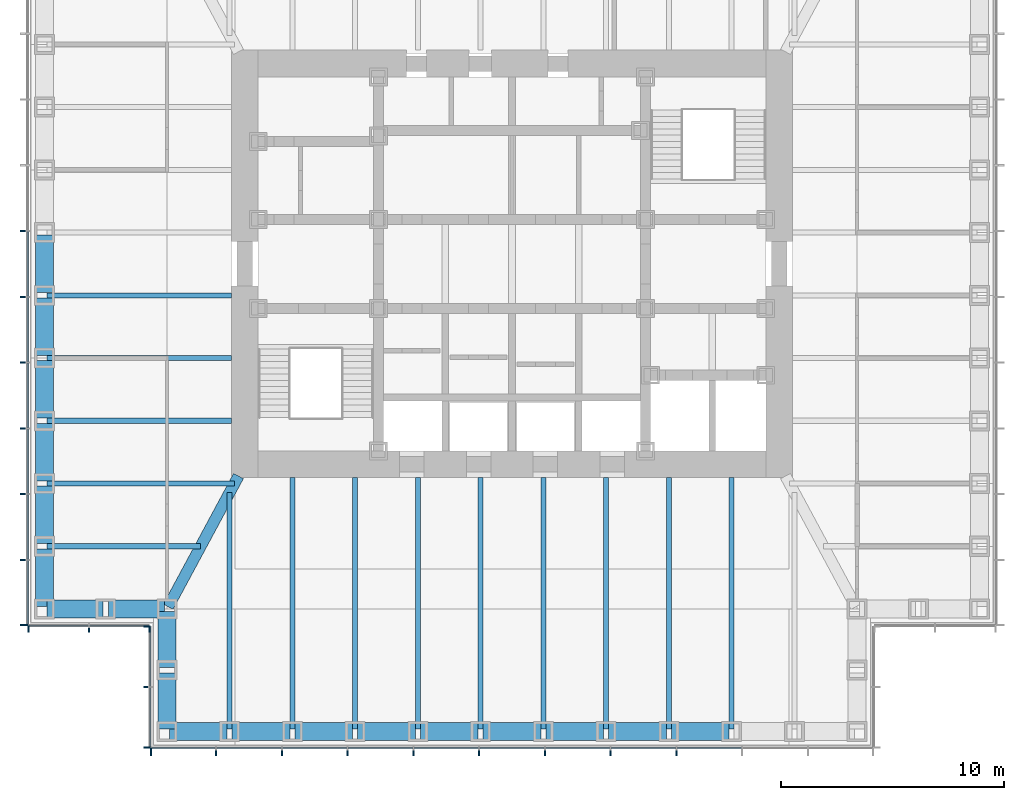
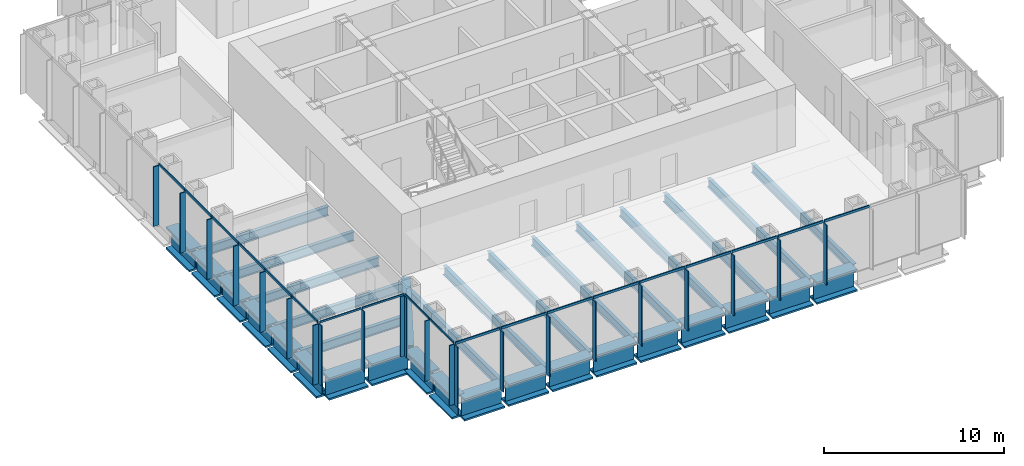
# One storey, part 2 of 16: 41 members, 34 beams, 4 elements without a shape of their own.
"""IFC4 building model written with IfcOpenShell, lengths in metres."""

from ifc_helpers import new_model, si_unit, direction, frame, origin, origin_2d, place, context, subcontext, project, spatial, rectangle, i_section, extrude, material, material_profile, profile_set, type_object, element, aggregate, save


model = new_model("IFC4")

# Units and contexts
model_context = context("Model", 3, precision=1e-05, world=origin(), true_north=direction((0.0, 1.0)))
body_context = subcontext(model_context, "Body", "Model", "MODEL_VIEW")
ifc_project = project(units=[si_unit("LENGTHUNIT", "METRE"), si_unit("AREAUNIT", "SQUARE_METRE"), si_unit("VOLUMEUNIT", "CUBIC_METRE"), si_unit("PLANEANGLEUNIT", "RADIAN"), si_unit("MASSUNIT", "GRAM", prefix="KILO")], contexts=[model_context])

# Site, building, storey
site_placement = place(None, origin())
site = spatial("IfcSite", under=ifc_project, at=site_placement, CompositionType="ELEMENT")
building_placement = place(site_placement, origin())
building = spatial("IfcBuilding", under=site, at=building_placement, Name="Daluyong Arena Tower", CompositionType="ELEMENT")
storey_placement = place(building_placement, frame((0.0, 0.0, 206.5)))
storey = spatial("IfcBuildingStorey", under=building, at=storey_placement, Name="L46", CompositionType="ELEMENT", Elevation=206.5)

# Curtain wall, members
ifc_material_1 = material(Name="Bronze anodised aluminium and glass", Category="aluminium")
curtain_wall_type_1 = type_object("IfcCurtainWallType", Name="Curtain wall CW3", PredefinedType="USERDEFINED", material=ifc_material_1)
curtain_wall_1_placement = place(storey_placement, origin())
curtain_wall_1 = element("IfcCurtainWall", 1, at=curtain_wall_1_placement, inside=storey, type_object=curtain_wall_type_1, Name="curtain wall L46 S", ObjectType="UNITISED CURTAIN WALL", PredefinedType="USERDEFINED")
ifc_material_2 = material(Name="Bronze anodised aluminium fin", Category="aluminium")
ifc_material_profile_1 = material_profile(ifc_material_2, rectangle(XDim=0.35009765625, YDim=0.070068359375, at=origin_2d()))
ifc_profile_set_1 = profile_set([ifc_material_profile_1], Name="Bronze anodised aluminium fin")
member_type_1 = type_object("IfcMemberType", Name="CW3 bronze fin 350x70", PredefinedType="MULLION", material=ifc_profile_set_1)
member_1_placement = place(storey_placement, frame((39.784912109375, 58.074951171875, 0.0), z_axis=(0.0, 0.0, 1.0), x_axis=(0.0, 1.0, 0.0)))
member_1 = element("IfcMember", 2, at=member_1_placement, type_object=member_type_1, Name="curtain wall L46 S fin 1", PredefinedType="MULLION", context=body_context, shape_type="SweptSolid", body=[
    extrude(rectangle(XDim=0.35009765625, YDim=0.070068359375, at=origin_2d()), origin(), (0.0, 0.0, 1.0), 4.0400390625),
])
member_2_placement = place(storey_placement, frame((42.70458984375, 58.074951171875, 0.0), z_axis=(0.0, 0.0, 1.0), x_axis=(0.0, 1.0, 0.0)))
member_2 = element("IfcMember", 3, at=member_2_placement, type_object=member_type_1, Name="curtain wall L46 S fin 2", PredefinedType="MULLION", context=body_context, shape_type="SweptSolid", body=[
    extrude(rectangle(XDim=0.35009765625, YDim=0.070068359375, at=origin_2d()), origin(), (0.0, 0.0, 1.0), 4.0400390625),
])
member_3_placement = place(storey_placement, frame((45.6591796875, 58.074951171875, 0.0), z_axis=(0.0, 0.0, 1.0), x_axis=(0.0, 1.0, 0.0)))
member_3 = element("IfcMember", 4, at=member_3_placement, type_object=member_type_1, Name="curtain wall L46 S fin 3", PredefinedType="MULLION", context=body_context, shape_type="SweptSolid", body=[
    extrude(rectangle(XDim=0.35009765625, YDim=0.070068359375, at=origin_2d()), origin(), (0.0, 0.0, 1.0), 4.0400390625),
])
member_4_placement = place(storey_placement, frame((48.613525390625, 58.074951171875, 0.0), z_axis=(0.0, 0.0, 1.0), x_axis=(0.0, 1.0, 0.0)))
member_4 = element("IfcMember", 5, at=member_4_placement, type_object=member_type_1, Name="curtain wall L46 S fin 4", PredefinedType="MULLION", context=body_context, shape_type="SweptSolid", body=[
    extrude(rectangle(XDim=0.35009765625, YDim=0.070068359375, at=origin_2d()), origin(), (0.0, 0.0, 1.0), 4.0400390625),
])
member_5_placement = place(storey_placement, frame((51.568115234375, 58.074951171875, 0.0), z_axis=(0.0, 0.0, 1.0), x_axis=(0.0, 1.0, 0.0)))
member_5 = element("IfcMember", 6, at=member_5_placement, type_object=member_type_1, Name="curtain wall L46 S fin 5", PredefinedType="MULLION", context=body_context, shape_type="SweptSolid", body=[
    extrude(rectangle(XDim=0.35009765625, YDim=0.070068359375, at=origin_2d()), origin(), (0.0, 0.0, 1.0), 4.0400390625),
])
member_6_placement = place(storey_placement, frame((54.522705078125, 58.074951171875, 0.0), z_axis=(0.0, 0.0, 1.0), x_axis=(0.0, 1.0, 0.0)))
member_6 = element("IfcMember", 7, at=member_6_placement, type_object=member_type_1, Name="curtain wall L46 S fin 6", PredefinedType="MULLION", context=body_context, shape_type="SweptSolid", body=[
    extrude(rectangle(XDim=0.35009765625, YDim=0.070068359375, at=origin_2d()), origin(), (0.0, 0.0, 1.0), 4.0400390625),
])
member_7_placement = place(storey_placement, frame((57.477294921875, 58.074951171875, 0.0), z_axis=(0.0, 0.0, 1.0), x_axis=(0.0, 1.0, 0.0)))
member_7 = element("IfcMember", 8, at=member_7_placement, type_object=member_type_1, Name="curtain wall L46 S fin 7", PredefinedType="MULLION", context=body_context, shape_type="SweptSolid", body=[
    extrude(rectangle(XDim=0.35009765625, YDim=0.070068359375, at=origin_2d()), origin(), (0.0, 0.0, 1.0), 4.0400390625),
])
member_8_placement = place(storey_placement, frame((60.431884765625, 58.074951171875, 0.0), z_axis=(0.0, 0.0, 1.0), x_axis=(0.0, 1.0, 0.0)))
member_8 = element("IfcMember", 9, at=member_8_placement, type_object=member_type_1, Name="curtain wall L46 S fin 8", PredefinedType="MULLION", context=body_context, shape_type="SweptSolid", body=[
    extrude(rectangle(XDim=0.35009765625, YDim=0.070068359375, at=origin_2d()), origin(), (0.0, 0.0, 1.0), 4.0400390625),
])
member_9_placement = place(storey_placement, frame((63.386474609375, 58.074951171875, 0.0), z_axis=(0.0, 0.0, 1.0), x_axis=(0.0, 1.0, 0.0)))
member_9 = element("IfcMember", 10, at=member_9_placement, type_object=member_type_1, Name="curtain wall L46 S fin 9", PredefinedType="MULLION", context=body_context, shape_type="SweptSolid", body=[
    extrude(rectangle(XDim=0.35009765625, YDim=0.070068359375, at=origin_2d()), origin(), (0.0, 0.0, 1.0), 4.0400390625),
])

curtain_wall_2_placement = place(storey_placement, origin())
curtain_wall_2 = element("IfcCurtainWall", 11, at=curtain_wall_2_placement, inside=storey, type_object=curtain_wall_type_1, Name="curtain wall L46 W", ObjectType="UNITISED CURTAIN WALL", PredefinedType="USERDEFINED")
member_10_placement = place(storey_placement, frame((34.074951171875, 81.477294921875, 0.0), z_axis=(0.0, 0.0, 1.0), x_axis=(1.0, 0.0, 0.0)))
member_10 = element("IfcMember", 12, at=member_10_placement, type_object=member_type_1, Name="curtain wall L46 W fin 6", PredefinedType="MULLION", context=body_context, shape_type="SweptSolid", body=[
    extrude(rectangle(XDim=0.35009765625, YDim=0.070068359375, at=origin_2d()), origin(), (0.0, 0.0, 1.0), 4.0400390625),
])
member_11_placement = place(storey_placement, frame((34.074951171875, 78.522705078125, 0.0), z_axis=(0.0, 0.0, 1.0), x_axis=(1.0, 0.0, 0.0)))
member_11 = element("IfcMember", 13, at=member_11_placement, type_object=member_type_1, Name="curtain wall L46 W fin 7", PredefinedType="MULLION", context=body_context, shape_type="SweptSolid", body=[
    extrude(rectangle(XDim=0.35009765625, YDim=0.070068359375, at=origin_2d()), origin(), (0.0, 0.0, 1.0), 4.0400390625),
])
member_12_placement = place(storey_placement, frame((34.074951171875, 75.568115234375, 0.0), z_axis=(0.0, 0.0, 1.0), x_axis=(1.0, 0.0, 0.0)))
member_12 = element("IfcMember", 14, at=member_12_placement, type_object=member_type_1, Name="curtain wall L46 W fin 8", PredefinedType="MULLION", context=body_context, shape_type="SweptSolid", body=[
    extrude(rectangle(XDim=0.35009765625, YDim=0.070068359375, at=origin_2d()), origin(), (0.0, 0.0, 1.0), 4.0400390625),
])
member_13_placement = place(storey_placement, frame((34.074951171875, 72.613525390625, 0.0), z_axis=(0.0, 0.0, 1.0), x_axis=(1.0, 0.0, 0.0)))
member_13 = element("IfcMember", 15, at=member_13_placement, type_object=member_type_1, Name="curtain wall L46 W fin 9", PredefinedType="MULLION", context=body_context, shape_type="SweptSolid", body=[
    extrude(rectangle(XDim=0.35009765625, YDim=0.070068359375, at=origin_2d()), origin(), (0.0, 0.0, 1.0), 4.0400390625),
])
member_14_placement = place(storey_placement, frame((34.074951171875, 69.6591796875, 0.0), z_axis=(0.0, 0.0, 1.0), x_axis=(1.0, 0.0, 0.0)))
member_14 = element("IfcMember", 16, at=member_14_placement, type_object=member_type_1, Name="curtain wall L46 W fin 10", PredefinedType="MULLION", context=body_context, shape_type="SweptSolid", body=[
    extrude(rectangle(XDim=0.35009765625, YDim=0.070068359375, at=origin_2d()), origin(), (0.0, 0.0, 1.0), 4.0400390625),
])
member_15_placement = place(storey_placement, frame((34.074951171875, 66.70458984375, 0.0), z_axis=(0.0, 0.0, 1.0), x_axis=(1.0, 0.0, 0.0)))
member_15 = element("IfcMember", 17, at=member_15_placement, type_object=member_type_1, Name="curtain wall L46 W fin 11", PredefinedType="MULLION", context=body_context, shape_type="SweptSolid", body=[
    extrude(rectangle(XDim=0.35009765625, YDim=0.070068359375, at=origin_2d()), origin(), (0.0, 0.0, 1.0), 4.0400390625),
])
member_16_placement = place(storey_placement, frame((34.074951171875, 63.784912109375, 0.0), z_axis=(0.0, 0.0, 1.0), x_axis=(1.0, 0.0, 0.0)))
member_16 = element("IfcMember", 18, at=member_16_placement, type_object=member_type_1, Name="curtain wall L46 W fin 12", PredefinedType="MULLION", context=body_context, shape_type="SweptSolid", body=[
    extrude(rectangle(XDim=0.35009765625, YDim=0.070068359375, at=origin_2d()), origin(), (0.0, 0.0, 1.0), 4.0400390625),
])

# Member
ifc_material_3 = material(Name="Bronze anodised aluminium", Category="aluminium")
ifc_material_profile_2 = material_profile(ifc_material_3, rectangle(XDim=0.070068359375, YDim=0.159912109375, at=origin_2d()))
ifc_profile_set_2 = profile_set([ifc_material_profile_2], Name="Bronze anodised aluminium")
member_type_2 = type_object("IfcMemberType", Name="CW3 stack transom 160x70", PredefinedType="USERDEFINED", material=ifc_profile_set_2)
member_17_placement = place(storey_placement, frame((39.820068359375, 58.25, 4.1201171875), z_axis=(1.0, 0.0, 0.0), x_axis=(0.0, 1.0, 0.0)))
member_17 = element("IfcMember", 19, at=member_17_placement, type_object=member_type_2, Name="curtain wall L46 S transom 1", ObjectType="TRANSOM", PredefinedType="USERDEFINED", context=body_context, shape_type="SweptSolid", body=[
    extrude(rectangle(XDim=0.070068359375, YDim=0.159912109375, at=origin_2d()), origin(), (0.0, 0.0, 1.0), 2.849365234375),
])

member_18_placement = place(storey_placement, frame((42.739501953125, 58.25, 4.1201171875), z_axis=(1.0, 0.0, 0.0), x_axis=(0.0, 1.0, 0.0)))
member_18 = element("IfcMember", 20, at=member_18_placement, type_object=member_type_2, Name="curtain wall L46 S transom 2", ObjectType="TRANSOM", PredefinedType="USERDEFINED", context=body_context, shape_type="SweptSolid", body=[
    extrude(rectangle(XDim=0.070068359375, YDim=0.159912109375, at=origin_2d()), origin(), (0.0, 0.0, 1.0), 2.884521484375),
])

member_19_placement = place(storey_placement, frame((45.694091796875, 58.25, 4.1201171875), z_axis=(1.0, 0.0, 0.0), x_axis=(0.0, 1.0, 0.0)))
member_19 = element("IfcMember", 21, at=member_19_placement, type_object=member_type_2, Name="curtain wall L46 S transom 3", ObjectType="TRANSOM", PredefinedType="USERDEFINED", context=body_context, shape_type="SweptSolid", body=[
    extrude(rectangle(XDim=0.070068359375, YDim=0.159912109375, at=origin_2d()), origin(), (0.0, 0.0, 1.0), 2.884521484375),
])

member_20_placement = place(storey_placement, frame((48.648681640625, 58.25, 4.1201171875), z_axis=(1.0, 0.0, 0.0), x_axis=(0.0, 1.0, 0.0)))
member_20 = element("IfcMember", 22, at=member_20_placement, type_object=member_type_2, Name="curtain wall L46 S transom 4", ObjectType="TRANSOM", PredefinedType="USERDEFINED", context=body_context, shape_type="SweptSolid", body=[
    extrude(rectangle(XDim=0.070068359375, YDim=0.159912109375, at=origin_2d()), origin(), (0.0, 0.0, 1.0), 2.884521484375),
])

member_21_placement = place(storey_placement, frame((51.603271484375, 58.25, 4.1201171875), z_axis=(1.0, 0.0, 0.0), x_axis=(0.0, 1.0, 0.0)))
member_21 = element("IfcMember", 23, at=member_21_placement, type_object=member_type_2, Name="curtain wall L46 S transom 5", ObjectType="TRANSOM", PredefinedType="USERDEFINED", context=body_context, shape_type="SweptSolid", body=[
    extrude(rectangle(XDim=0.070068359375, YDim=0.159912109375, at=origin_2d()), origin(), (0.0, 0.0, 1.0), 2.884521484375),
])

member_22_placement = place(storey_placement, frame((54.5576171875, 58.25, 4.1201171875), z_axis=(1.0, 0.0, 0.0), x_axis=(0.0, 1.0, 0.0)))
member_22 = element("IfcMember", 24, at=member_22_placement, type_object=member_type_2, Name="curtain wall L46 S transom 6", ObjectType="TRANSOM", PredefinedType="USERDEFINED", context=body_context, shape_type="SweptSolid", body=[
    extrude(rectangle(XDim=0.070068359375, YDim=0.159912109375, at=origin_2d()), origin(), (0.0, 0.0, 1.0), 2.884765625),
])

member_23_placement = place(storey_placement, frame((57.51220703125, 58.25, 4.1201171875), z_axis=(1.0, 0.0, 0.0), x_axis=(0.0, 1.0, 0.0)))
member_23 = element("IfcMember", 25, at=member_23_placement, type_object=member_type_2, Name="curtain wall L46 S transom 7", ObjectType="TRANSOM", PredefinedType="USERDEFINED", context=body_context, shape_type="SweptSolid", body=[
    extrude(rectangle(XDim=0.070068359375, YDim=0.159912109375, at=origin_2d()), origin(), (0.0, 0.0, 1.0), 2.884521484375),
])

member_24_placement = place(storey_placement, frame((60.466796875, 58.25, 4.1201171875), z_axis=(1.0, 0.0, 0.0), x_axis=(0.0, 1.0, 0.0)))
member_24 = element("IfcMember", 26, at=member_24_placement, type_object=member_type_2, Name="curtain wall L46 S transom 8", ObjectType="TRANSOM", PredefinedType="USERDEFINED", context=body_context, shape_type="SweptSolid", body=[
    extrude(rectangle(XDim=0.070068359375, YDim=0.159912109375, at=origin_2d()), origin(), (0.0, 0.0, 1.0), 2.884521484375),
])

member_25_placement = place(storey_placement, frame((63.42138671875, 58.25, 4.1201171875), z_axis=(1.0, 0.0, 0.0), x_axis=(0.0, 1.0, 0.0)))
member_25 = element("IfcMember", 27, at=member_25_placement, type_object=member_type_2, Name="curtain wall L46 S transom 9", ObjectType="TRANSOM", PredefinedType="USERDEFINED", context=body_context, shape_type="SweptSolid", body=[
    extrude(rectangle(XDim=0.070068359375, YDim=0.159912109375, at=origin_2d()), origin(), (0.0, 0.0, 1.0), 2.884521484375),
])

aggregate(curtain_wall_1, [member_1, member_2, member_3, member_4, member_5, member_6, member_7, member_8, member_9, member_17, member_18, member_19, member_20, member_21, member_22, member_23, member_24, member_25])

member_26_placement = place(storey_placement, frame((34.25, 81.4423828125, 4.1201171875), z_axis=(0.0, -1.0, 0.0), x_axis=(1.0, 0.0, 0.0)))
member_26 = element("IfcMember", 28, at=member_26_placement, type_object=member_type_2, Name="curtain wall L46 W transom 6", ObjectType="TRANSOM", PredefinedType="USERDEFINED", context=body_context, shape_type="SweptSolid", body=[
    extrude(rectangle(XDim=0.070068359375, YDim=0.159912109375, at=origin_2d()), origin(), (0.0, 0.0, 1.0), 2.884765625),
])

member_27_placement = place(storey_placement, frame((34.25, 78.48779296875, 4.1201171875), z_axis=(0.0, -1.0, 0.0), x_axis=(1.0, 0.0, 0.0)))
member_27 = element("IfcMember", 29, at=member_27_placement, type_object=member_type_2, Name="curtain wall L46 W transom 7", ObjectType="TRANSOM", PredefinedType="USERDEFINED", context=body_context, shape_type="SweptSolid", body=[
    extrude(rectangle(XDim=0.070068359375, YDim=0.159912109375, at=origin_2d()), origin(), (0.0, 0.0, 1.0), 2.884521484375),
])

member_28_placement = place(storey_placement, frame((34.25, 75.533203125, 4.1201171875), z_axis=(0.0, -1.0, 0.0), x_axis=(1.0, 0.0, 0.0)))
member_28 = element("IfcMember", 30, at=member_28_placement, type_object=member_type_2, Name="curtain wall L46 W transom 8", ObjectType="TRANSOM", PredefinedType="USERDEFINED", context=body_context, shape_type="SweptSolid", body=[
    extrude(rectangle(XDim=0.070068359375, YDim=0.159912109375, at=origin_2d()), origin(), (0.0, 0.0, 1.0), 2.884521484375),
])

member_29_placement = place(storey_placement, frame((34.25, 72.57861328125, 4.1201171875), z_axis=(0.0, -1.0, 0.0), x_axis=(1.0, 0.0, 0.0)))
member_29 = element("IfcMember", 31, at=member_29_placement, type_object=member_type_2, Name="curtain wall L46 W transom 9", ObjectType="TRANSOM", PredefinedType="USERDEFINED", context=body_context, shape_type="SweptSolid", body=[
    extrude(rectangle(XDim=0.070068359375, YDim=0.159912109375, at=origin_2d()), origin(), (0.0, 0.0, 1.0), 2.884521484375),
])

member_30_placement = place(storey_placement, frame((34.25, 69.6240234375, 4.1201171875), z_axis=(0.0, -1.0, 0.0), x_axis=(1.0, 0.0, 0.0)))
member_30 = element("IfcMember", 32, at=member_30_placement, type_object=member_type_2, Name="curtain wall L46 W transom 10", ObjectType="TRANSOM", PredefinedType="USERDEFINED", context=body_context, shape_type="SweptSolid", body=[
    extrude(rectangle(XDim=0.070068359375, YDim=0.159912109375, at=origin_2d()), origin(), (0.0, 0.0, 1.0), 2.884521484375),
])

member_31_placement = place(storey_placement, frame((34.25, 66.66943359375, 4.1201171875), z_axis=(0.0, -1.0, 0.0), x_axis=(1.0, 0.0, 0.0)))
member_31 = element("IfcMember", 33, at=member_31_placement, type_object=member_type_2, Name="curtain wall L46 W transom 11", ObjectType="TRANSOM", PredefinedType="USERDEFINED", context=body_context, shape_type="SweptSolid", body=[
    extrude(rectangle(XDim=0.070068359375, YDim=0.159912109375, at=origin_2d()), origin(), (0.0, 0.0, 1.0), 2.849365234375),
])

aggregate(curtain_wall_2, [member_10, member_11, member_12, member_13, member_14, member_15, member_16, member_26, member_27, member_28, member_29, member_30, member_31])

# Curtain wall, members
ifc_material_4 = material(Name="Bronze anodised aluminium and glass", Category="aluminium")
curtain_wall_type_2 = type_object("IfcCurtainWallType", Name="Curtain wall CW7", PredefinedType="USERDEFINED", material=ifc_material_4)
curtain_wall_3_placement = place(storey_placement, origin())
curtain_wall_3 = element("IfcCurtainWall", 34, at=curtain_wall_3_placement, inside=storey, type_object=curtain_wall_type_2, Name="curtain wall L46 SW-S", ObjectType="UNITISED CURTAIN WALL", PredefinedType="USERDEFINED")
ifc_material_5 = material(Name="Bronze anodised aluminium fin", Category="aluminium")
ifc_material_profile_3 = material_profile(ifc_material_5, rectangle(XDim=0.300048828125, YDim=0.06005859375, at=origin_2d()))
ifc_profile_set_3 = profile_set([ifc_material_profile_3], Name="Bronze anodised aluminium fin")
member_type_3 = type_object("IfcMemberType", Name="CW7 bronze fin 300x60", PredefinedType="MULLION", material=ifc_profile_set_3)
member_32_placement = place(storey_placement, frame((34.280029296875, 63.60009765625, 0.0), z_axis=(0.0, 0.0, 1.0), x_axis=(0.0, 1.0, 0.0)))
member_32 = element("IfcMember", 35, at=member_32_placement, type_object=member_type_3, Name="curtain wall L46 SW-S fin 1", PredefinedType="MULLION", context=body_context, shape_type="SweptSolid", body=[
    extrude(rectangle(XDim=0.300048828125, YDim=0.06005859375, at=origin_2d()), origin(), (0.0, 0.0, 1.0), 4.080078125),
])
member_33_placement = place(storey_placement, frame((37.0, 63.60009765625, 0.0), z_axis=(0.0, 0.0, 1.0), x_axis=(0.0, 1.0, 0.0)))
member_33 = element("IfcMember", 36, at=member_33_placement, type_object=member_type_3, Name="curtain wall L46 SW-S fin 2", PredefinedType="MULLION", context=body_context, shape_type="SweptSolid", body=[
    extrude(rectangle(XDim=0.300048828125, YDim=0.06005859375, at=origin_2d()), origin(), (0.0, 0.0, 1.0), 4.080078125),
])
member_34_placement = place(storey_placement, frame((39.719970703125, 63.60009765625, 0.0), z_axis=(0.0, 0.0, 1.0), x_axis=(0.0, 1.0, 0.0)))
member_34 = element("IfcMember", 37, at=member_34_placement, type_object=member_type_3, Name="curtain wall L46 SW-S fin 3", PredefinedType="MULLION", context=body_context, shape_type="SweptSolid", body=[
    extrude(rectangle(XDim=0.300048828125, YDim=0.06005859375, at=origin_2d()), origin(), (0.0, 0.0, 1.0), 4.080078125),
])

curtain_wall_4_placement = place(storey_placement, origin())
curtain_wall_4 = element("IfcCurtainWall", 38, at=curtain_wall_4_placement, inside=storey, type_object=curtain_wall_type_2, Name="curtain wall L46 SW-W", ObjectType="UNITISED CURTAIN WALL", PredefinedType="USERDEFINED")
member_35_placement = place(storey_placement, frame((39.60009765625, 63.719970703125, 0.0), z_axis=(0.0, 0.0, 1.0), x_axis=(1.0, 0.0, 0.0)))
member_35 = element("IfcMember", 39, at=member_35_placement, type_object=member_type_3, Name="curtain wall L46 SW-W fin 1", PredefinedType="MULLION", context=body_context, shape_type="SweptSolid", body=[
    extrude(rectangle(XDim=0.300048828125, YDim=0.06005859375, at=origin_2d()), origin(), (0.0, 0.0, 1.0), 4.080078125),
])
member_36_placement = place(storey_placement, frame((39.60009765625, 61.0, 0.0), z_axis=(0.0, 0.0, 1.0), x_axis=(1.0, 0.0, 0.0)))
member_36 = element("IfcMember", 40, at=member_36_placement, type_object=member_type_3, Name="curtain wall L46 SW-W fin 2", PredefinedType="MULLION", context=body_context, shape_type="SweptSolid", body=[
    extrude(rectangle(XDim=0.300048828125, YDim=0.06005859375, at=origin_2d()), origin(), (0.0, 0.0, 1.0), 4.080078125),
])
member_37_placement = place(storey_placement, frame((39.60009765625, 58.280029296875, 0.0), z_axis=(0.0, 0.0, 1.0), x_axis=(1.0, 0.0, 0.0)))
member_37 = element("IfcMember", 41, at=member_37_placement, type_object=member_type_3, Name="curtain wall L46 SW-W fin 3", PredefinedType="MULLION", context=body_context, shape_type="SweptSolid", body=[
    extrude(rectangle(XDim=0.300048828125, YDim=0.06005859375, at=origin_2d()), origin(), (0.0, 0.0, 1.0), 4.080078125),
])

# Member
ifc_material_6 = material(Name="Bronze anodised aluminium", Category="aluminium")
ifc_material_profile_4 = material_profile(ifc_material_6, rectangle(XDim=0.06005859375, YDim=0.1201171875, at=origin_2d()))
ifc_profile_set_4 = profile_set([ifc_material_profile_4], Name="Bronze anodised aluminium")
member_type_4 = type_object("IfcMemberType", Name="CW7 stack transom 120x60", PredefinedType="USERDEFINED", material=ifc_profile_set_4)
member_38_placement = place(storey_placement, frame((34.31005859375, 63.75, 4.139892578125), z_axis=(1.0, 0.0, 0.0), x_axis=(0.0, 1.0, 0.0)))
member_38 = element("IfcMember", 42, at=member_38_placement, type_object=member_type_4, Name="curtain wall L46 SW-S transom 1", ObjectType="TRANSOM", PredefinedType="USERDEFINED", context=body_context, shape_type="SweptSolid", body=[
    extrude(rectangle(XDim=0.06005859375, YDim=0.1201171875, at=origin_2d()), origin(), (0.0, 0.0, 1.0), 2.659912109375),
])

member_39_placement = place(storey_placement, frame((37.030029296875, 63.75, 4.139892578125), z_axis=(1.0, 0.0, 0.0), x_axis=(0.0, 1.0, 0.0)))
member_39 = element("IfcMember", 43, at=member_39_placement, type_object=member_type_4, Name="curtain wall L46 SW-S transom 2", ObjectType="TRANSOM", PredefinedType="USERDEFINED", context=body_context, shape_type="SweptSolid", body=[
    extrude(rectangle(XDim=0.06005859375, YDim=0.1201171875, at=origin_2d()), origin(), (0.0, 0.0, 1.0), 2.659912109375),
])

aggregate(curtain_wall_3, [member_32, member_33, member_34, member_38, member_39])

member_40_placement = place(storey_placement, frame((39.75, 63.68994140625, 4.139892578125), z_axis=(0.0, -1.0, 0.0), x_axis=(1.0, 0.0, 0.0)))
member_40 = element("IfcMember", 44, at=member_40_placement, type_object=member_type_4, Name="curtain wall L46 SW-W transom 1", ObjectType="TRANSOM", PredefinedType="USERDEFINED", context=body_context, shape_type="SweptSolid", body=[
    extrude(rectangle(XDim=0.06005859375, YDim=0.1201171875, at=origin_2d()), origin(), (0.0, 0.0, 1.0), 2.659912109375),
])

member_41_placement = place(storey_placement, frame((39.75, 60.969970703125, 4.139892578125), z_axis=(0.0, -1.0, 0.0), x_axis=(1.0, 0.0, 0.0)))
member_41 = element("IfcMember", 45, at=member_41_placement, type_object=member_type_4, Name="curtain wall L46 SW-W transom 2", ObjectType="TRANSOM", PredefinedType="USERDEFINED", context=body_context, shape_type="SweptSolid", body=[
    extrude(rectangle(XDim=0.06005859375, YDim=0.1201171875, at=origin_2d()), origin(), (0.0, 0.0, 1.0), 2.659912109375),
])

aggregate(curtain_wall_4, [member_35, member_36, member_37, member_40, member_41])

# Beams
ifc_material_7 = material(Name="Steel ASTM A572 Grade 50", Category="steel")
ifc_material_profile_5 = material_profile(ifc_material_7, i_section(OverallWidth=0.5, OverallDepth=1.0, WebThickness=0.03, FlangeThickness=0.06, at=origin_2d()))
ifc_profile_set_5 = profile_set([ifc_material_profile_5], Name="Steel ASTM A572 Grade 50")
beam_type_1 = type_object("IfcBeamType", Name="Corner girder TB1000X500", PredefinedType="BEAM", material=ifc_profile_set_5)
beam_1_placement = place(storey_placement, frame((40.554443359375, 64.601318359375, -0.659912109375), z_axis=(0.474119475266, 0.880460517669, 0.0), x_axis=(-0.880460517669, 0.474119475266, 0.0)))
element("IfcBeam", 46, at=beam_1_placement, inside=storey, type_object=beam_type_1, Name="corner girder DG2", PredefinedType="BEAM", context=body_context, shape_type="SweptSolid", body=[
    extrude(i_section(OverallWidth=0.5, OverallDepth=1.0, WebThickness=0.03, FlangeThickness=0.06, at=origin_2d()), origin(), (0.0, 0.0, 1.0), 6.66748046875),
])
ifc_material_8 = material(Name="Steel ASTM A992 Grade 50", Category="steel")
ifc_material_profile_6 = material_profile(ifc_material_8, i_section(OverallWidth=0.22900390625, OverallDepth=0.612060546875, WebThickness=0.011962890625, FlangeThickness=0.01953125, at=origin_2d()))
ifc_profile_set_6 = profile_set([ifc_material_profile_6], Name="Steel ASTM A992 Grade 50")
beam_type_2 = type_object("IfcBeamType", Name="Floor beam W24X84", PredefinedType="BEAM", material=ifc_profile_set_6)
beam_2_placement = place(storey_placement, frame((43.318115234375, 59.114990234375, -0.466064453125), z_axis=(0.0, 1.0, 0.0), x_axis=(-1.0, 0.0, 0.0)))
element("IfcBeam", 47, at=beam_2_placement, inside=storey, type_object=beam_type_2, Name="floor beam FB3", PredefinedType="BEAM", context=body_context, shape_type="SweptSolid", body=[
    extrude(i_section(OverallWidth=0.22900390625, OverallDepth=0.612060546875, WebThickness=0.011962890625, FlangeThickness=0.01953125, at=origin_2d()), origin(), (0.0, 0.0, 1.0), 10.618896484375),
])
for number, where, z_axis, x_axis, name in (
    (48, (46.136474609375, 59.114990234375, -0.466064453125), (0.0, 1.0, 0.0), (-1.0, 0.0, 0.0), "floor beam FB3"),
    (49, (48.95458984375, 59.114990234375, -0.466064453125), (0.0, 1.0, 0.0), (-1.0, 0.0, 0.0), "floor beam FB3"),
    (50, (51.772705078125, 59.114990234375, -0.466064453125), (0.0, 1.0, 0.0), (-1.0, 0.0, 0.0), "floor beam FB3"),
    (51, (54.5908203125, 59.114990234375, -0.466064453125), (0.0, 1.0, 0.0), (-1.0, 0.0, 0.0), "floor beam FB3"),
    (52, (57.4091796875, 59.114990234375, -0.466064453125), (0.0, 1.0, 0.0), (-1.0, 0.0, 0.0), "floor beam FB3"),
    (53, (60.227294921875, 59.114990234375, -0.466064453125), (0.0, 1.0, 0.0), (-1.0, 0.0, 0.0), "floor beam FB3"),
    (54, (63.04541015625, 59.114990234375, -0.466064453125), (0.0, 1.0, 0.0), (-1.0, 0.0, 0.0), "floor beam FB3"),
    (55, (65.863525390625, 59.114990234375, -0.466064453125), (0.0, 1.0, 0.0), (-1.0, 0.0, 0.0), "floor beam FB3"),
):
    element("IfcBeam", number, at=place(storey_placement, frame(where, z_axis=z_axis, x_axis=x_axis)), inside=storey, type_object=beam_type_2, Name=name, PredefinedType="BEAM", context=body_context, shape_type="SweptSolid", body=[
        extrude(i_section(OverallWidth=0.22900390625, OverallDepth=0.612060546875, WebThickness=0.011962890625, FlangeThickness=0.01953125, at=origin_2d()), origin(), (0.0, 0.0, 1.0), 11.284912109375),
    ])
for number, where, z_axis, x_axis, name in (
    (56, (35.114990234375, 78.5908203125, -0.466064453125), (1.0, 0.0, 0.0), (0.0, 1.0, 0.0), "floor beam FB3"),
    (57, (35.114990234375, 75.772705078125, -0.466064453125), (1.0, 0.0, 0.0), (0.0, 1.0, 0.0), "floor beam FB3"),
    (58, (35.114990234375, 72.95458984375, -0.466064453125), (1.0, 0.0, 0.0), (0.0, 1.0, 0.0), "floor beam FB3"),
):
    element("IfcBeam", number, at=place(storey_placement, frame(where, z_axis=z_axis, x_axis=x_axis)), inside=storey, type_object=beam_type_2, Name=name, PredefinedType="BEAM", context=body_context, shape_type="SweptSolid", body=[
        extrude(i_section(OverallWidth=0.22900390625, OverallDepth=0.612060546875, WebThickness=0.011962890625, FlangeThickness=0.01953125, at=origin_2d()), origin(), (0.0, 0.0, 1.0), 8.284912109375),
    ])
beam_3_placement = place(storey_placement, frame((35.114990234375, 70.136474609375, -0.466064453125), z_axis=(1.0, 0.0, 0.0), x_axis=(0.0, 1.0, 0.0)))
element("IfcBeam", 59, at=beam_3_placement, inside=storey, type_object=beam_type_2, Name="floor beam FB3", PredefinedType="BEAM", context=body_context, shape_type="SweptSolid", body=[
    extrude(i_section(OverallWidth=0.22900390625, OverallDepth=0.612060546875, WebThickness=0.011962890625, FlangeThickness=0.01953125, at=origin_2d()), origin(), (0.0, 0.0, 1.0), 8.419921875),
])
beam_4_placement = place(storey_placement, frame((35.114990234375, 67.318115234375, -0.466064453125), z_axis=(1.0, 0.0, 0.0), x_axis=(0.0, 1.0, 0.0)))
element("IfcBeam", 60, at=beam_4_placement, inside=storey, type_object=beam_type_2, Name="floor beam FB3", PredefinedType="BEAM", context=body_context, shape_type="SweptSolid", body=[
    extrude(i_section(OverallWidth=0.22900390625, OverallDepth=0.612060546875, WebThickness=0.011962890625, FlangeThickness=0.01953125, at=origin_2d()), origin(), (0.0, 0.0, 1.0), 6.902587890625),
])
ifc_material_9 = material(Name="Steel ASTM A588 Grade 50", Category="steel")
ifc_material_profile_7 = material_profile(ifc_material_9, i_section(OverallWidth=0.800048828125, OverallDepth=1.5, WebThickness=0.05, FlangeThickness=0.12, at=origin_2d()))
ifc_profile_set_7 = profile_set([ifc_material_profile_7], Name="Steel ASTM A588 Grade 50")
beam_type_3 = type_object("IfcBeamType", Name="Spandrel Z3 PG1500X800", PredefinedType="SPANDREL", material=ifc_profile_set_7)
beam_5_placement = place(storey_placement, frame((40.614990234375, 59.0, -0.909912109375), z_axis=(1.0, 0.0, 0.0), x_axis=(0.0, 1.0, 0.0)))
element("IfcBeam", 61, at=beam_5_placement, inside=storey, type_object=beam_type_3, Name="spandrel z3 SB7", PredefinedType="SPANDREL", context=body_context, shape_type="SweptSolid", body=[
    extrude(i_section(OverallWidth=0.800048828125, OverallDepth=1.5, WebThickness=0.05, FlangeThickness=0.12, at=origin_2d()), origin(), (0.0, 0.0, 1.0), 2.588134765625),
])
beam_6_placement = place(storey_placement, frame((43.43310546875, 59.0, -0.909912109375), z_axis=(1.0, 0.0, 0.0), x_axis=(0.0, 1.0, 0.0)))
element("IfcBeam", 62, at=beam_6_placement, inside=storey, type_object=beam_type_3, Name="spandrel z3 SB7", PredefinedType="SPANDREL", context=body_context, shape_type="SweptSolid", body=[
    extrude(i_section(OverallWidth=0.800048828125, OverallDepth=1.5, WebThickness=0.05, FlangeThickness=0.12, at=origin_2d()), origin(), (0.0, 0.0, 1.0), 2.58837890625),
])
for number, where, z_axis, x_axis, name in (
    (63, (46.25146484375, 59.0, -0.909912109375), (1.0, 0.0, 0.0), (0.0, 1.0, 0.0), "spandrel z3 SB7"),
    (64, (49.069580078125, 59.0, -0.909912109375), (1.0, 0.0, 0.0), (0.0, 1.0, 0.0), "spandrel z3 SB7"),
    (65, (51.8876953125, 59.0, -0.909912109375), (1.0, 0.0, 0.0), (0.0, 1.0, 0.0), "spandrel z3 SB7"),
):
    element("IfcBeam", number, at=place(storey_placement, frame(where, z_axis=z_axis, x_axis=x_axis)), inside=storey, type_object=beam_type_3, Name=name, PredefinedType="SPANDREL", context=body_context, shape_type="SweptSolid", body=[
        extrude(i_section(OverallWidth=0.800048828125, OverallDepth=1.5, WebThickness=0.05, FlangeThickness=0.12, at=origin_2d()), origin(), (0.0, 0.0, 1.0), 2.588134765625),
    ])
beam_7_placement = place(storey_placement, frame((54.705810546875, 59.0, -0.909912109375), z_axis=(1.0, 0.0, 0.0), x_axis=(0.0, 1.0, 0.0)))
element("IfcBeam", 66, at=beam_7_placement, inside=storey, type_object=beam_type_3, Name="spandrel z3 SB7", PredefinedType="SPANDREL", context=body_context, shape_type="SweptSolid", body=[
    extrude(i_section(OverallWidth=0.800048828125, OverallDepth=1.5, WebThickness=0.05, FlangeThickness=0.12, at=origin_2d()), origin(), (0.0, 0.0, 1.0), 2.58837890625),
])
for number, where, z_axis, x_axis, name in (
    (67, (57.524169921875, 59.0, -0.909912109375), (1.0, 0.0, 0.0), (0.0, 1.0, 0.0), "spandrel z3 SB7"),
    (68, (60.34228515625, 59.0, -0.909912109375), (1.0, 0.0, 0.0), (0.0, 1.0, 0.0), "spandrel z3 SB7"),
    (69, (63.160400390625, 59.0, -0.909912109375), (1.0, 0.0, 0.0), (0.0, 1.0, 0.0), "spandrel z3 SB7"),
):
    element("IfcBeam", number, at=place(storey_placement, frame(where, z_axis=z_axis, x_axis=x_axis)), inside=storey, type_object=beam_type_3, Name=name, PredefinedType="SPANDREL", context=body_context, shape_type="SweptSolid", body=[
        extrude(i_section(OverallWidth=0.800048828125, OverallDepth=1.5, WebThickness=0.05, FlangeThickness=0.12, at=origin_2d()), origin(), (0.0, 0.0, 1.0), 2.588134765625),
    ])
beam_8_placement = place(storey_placement, frame((35.0, 81.294189453125, -0.909912109375), z_axis=(0.0, -1.0, 0.0), x_axis=(1.0, 0.0, 0.0)))
element("IfcBeam", 70, at=beam_8_placement, inside=storey, type_object=beam_type_3, Name="spandrel z3 SB7", PredefinedType="SPANDREL", context=body_context, shape_type="SweptSolid", body=[
    extrude(i_section(OverallWidth=0.800048828125, OverallDepth=1.5, WebThickness=0.05, FlangeThickness=0.12, at=origin_2d()), origin(), (0.0, 0.0, 1.0), 2.58837890625),
])
for number, where, z_axis, x_axis, name in (
    (71, (35.0, 78.475830078125, -0.909912109375), (0.0, -1.0, 0.0), (1.0, 0.0, 0.0), "spandrel z3 SB7"),
    (72, (35.0, 75.65771484375, -0.909912109375), (0.0, -1.0, 0.0), (1.0, 0.0, 0.0), "spandrel z3 SB7"),
    (73, (35.0, 72.839599609375, -0.909912109375), (0.0, -1.0, 0.0), (1.0, 0.0, 0.0), "spandrel z3 SB7"),
):
    element("IfcBeam", number, at=place(storey_placement, frame(where, z_axis=z_axis, x_axis=x_axis)), inside=storey, type_object=beam_type_3, Name=name, PredefinedType="SPANDREL", context=body_context, shape_type="SweptSolid", body=[
        extrude(i_section(OverallWidth=0.800048828125, OverallDepth=1.5, WebThickness=0.05, FlangeThickness=0.12, at=origin_2d()), origin(), (0.0, 0.0, 1.0), 2.588134765625),
    ])
beam_9_placement = place(storey_placement, frame((35.0, 70.021484375, -0.909912109375), z_axis=(0.0, -1.0, 0.0), x_axis=(1.0, 0.0, 0.0)))
element("IfcBeam", 74, at=beam_9_placement, inside=storey, type_object=beam_type_3, Name="spandrel z3 SB7", PredefinedType="SPANDREL", context=body_context, shape_type="SweptSolid", body=[
    extrude(i_section(OverallWidth=0.800048828125, OverallDepth=1.5, WebThickness=0.05, FlangeThickness=0.12, at=origin_2d()), origin(), (0.0, 0.0, 1.0), 2.58837890625),
])
beam_10_placement = place(storey_placement, frame((35.0, 67.203125, -0.909912109375), z_axis=(0.0, -1.0, 0.0), x_axis=(1.0, 0.0, 0.0)))
element("IfcBeam", 75, at=beam_10_placement, inside=storey, type_object=beam_type_3, Name="spandrel z3 SB7", PredefinedType="SPANDREL", context=body_context, shape_type="SweptSolid", body=[
    extrude(i_section(OverallWidth=0.800048828125, OverallDepth=1.5, WebThickness=0.05, FlangeThickness=0.12, at=origin_2d()), origin(), (0.0, 0.0, 1.0), 2.588134765625),
])
for number, where, z_axis, x_axis, name in (
    (76, (35.114990234375, 64.5, -0.909912109375), (1.0, 0.0, 0.0), (0.0, 1.0, 0.0), "spandrel z3 SB7"),
    (77, (37.864990234375, 64.5, -0.909912109375), (1.0, 0.0, 0.0), (0.0, 1.0, 0.0), "spandrel z3 SB7"),
    (78, (40.5, 64.385009765625, -0.909912109375), (0.0, -1.0, 0.0), (1.0, 0.0, 0.0), "spandrel z3 SB7"),
    (79, (40.5, 61.635009765625, -0.909912109375), (0.0, -1.0, 0.0), (1.0, 0.0, 0.0), "spandrel z3 SB7"),
):
    element("IfcBeam", number, at=place(storey_placement, frame(where, z_axis=z_axis, x_axis=x_axis)), inside=storey, type_object=beam_type_3, Name=name, PredefinedType="SPANDREL", context=body_context, shape_type="SweptSolid", body=[
        extrude(i_section(OverallWidth=0.800048828125, OverallDepth=1.5, WebThickness=0.05, FlangeThickness=0.12, at=origin_2d()), origin(), (0.0, 0.0, 1.0), 2.52001953125),
    ])

save(model, "model.ifc")
